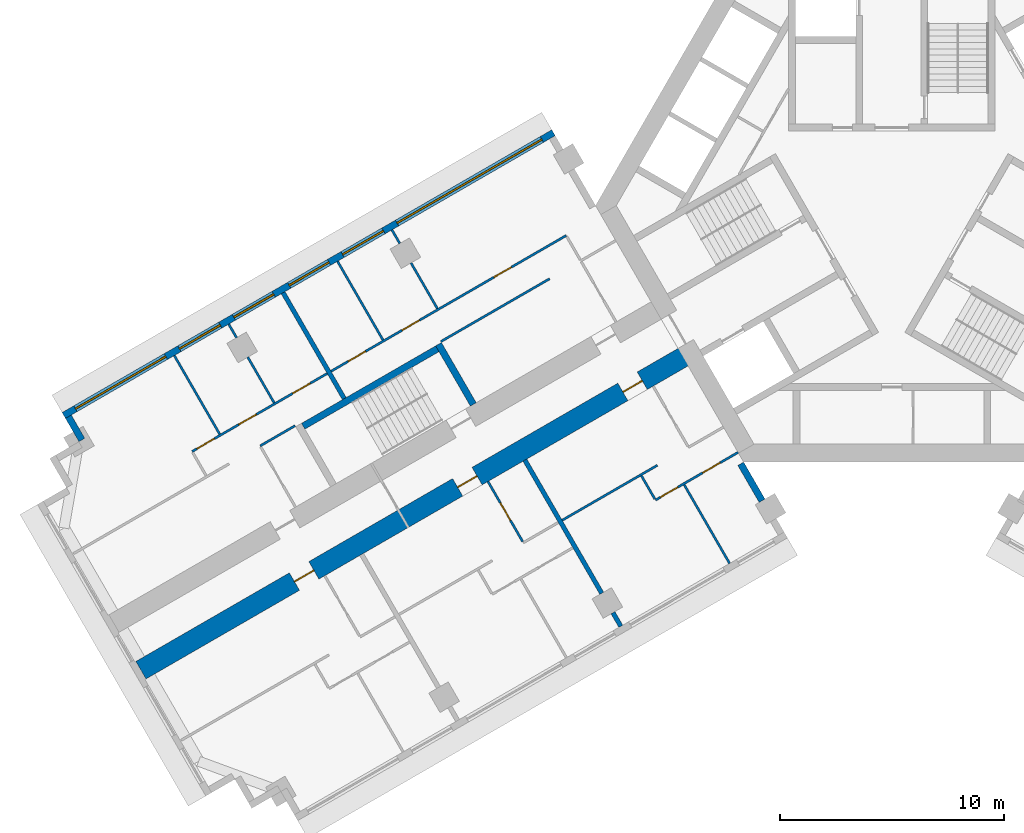
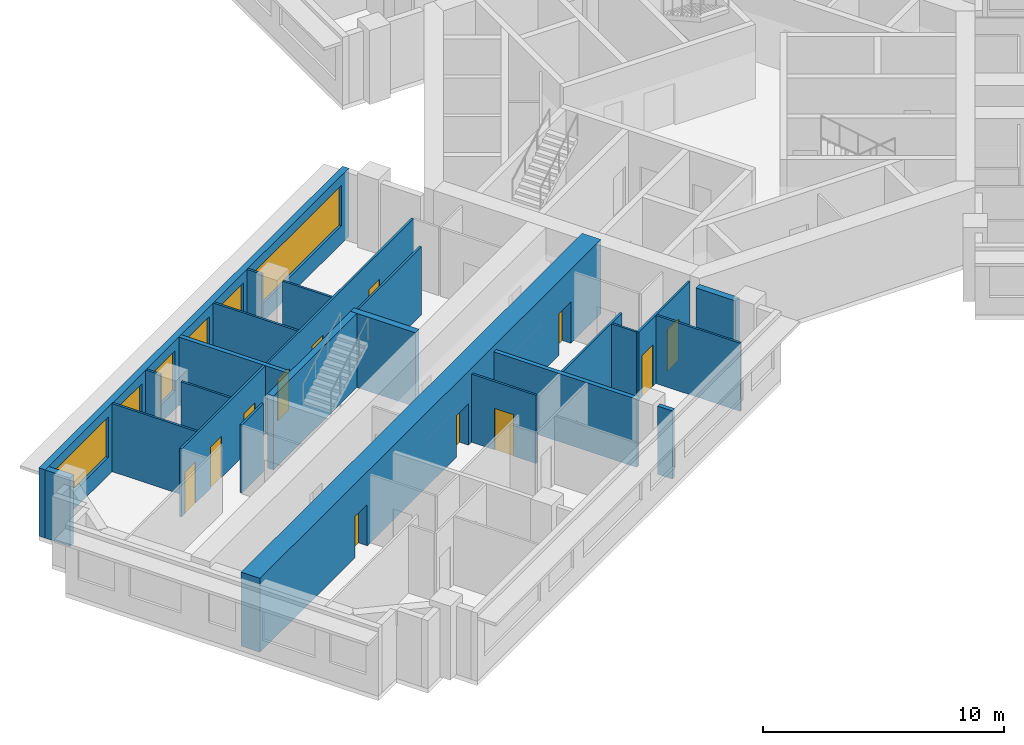
# One storey, part 3 of 12: 24 walls, 12 doors, 6 windows, 18 openings.
"""IFC4 building model written with IfcOpenShell, lengths in metres."""

from ifc_helpers import new_model, si_unit, direction, frame, frame_2d, origin, place, context, subcontext, project, spatial, rectangle, extrude, material, layer, layer_set, type_object, element, fill, save


model = new_model("IFC4")

# Units and contexts
model_context = context("Model", 3, precision=1e-05, world=origin(), true_north=direction((0.0, 1.0)))
body_context = subcontext(model_context, "Body", "Model", "MODEL_VIEW")
ifc_project = project(units=[si_unit("LENGTHUNIT", "METRE"), si_unit("AREAUNIT", "SQUARE_METRE"), si_unit("VOLUMEUNIT", "CUBIC_METRE"), si_unit("PLANEANGLEUNIT", "RADIAN"), si_unit("MASSUNIT", "GRAM", prefix="KILO")], contexts=[model_context])

# Site, building, storey
site_placement = place(None, origin())
site = spatial("IfcSite", under=ifc_project, at=site_placement, CompositionType="ELEMENT")
building_placement = place(site_placement, origin())
building = spatial("IfcBuilding", under=site, at=building_placement, Name="Impinga Residences", CompositionType="ELEMENT")
storey_placement = place(building_placement, frame((0.0, 0.0, 177.25)))
storey = spatial("IfcBuildingStorey", under=building, at=storey_placement, Name="L44", CompositionType="ELEMENT", Elevation=177.25)

# Wall, openings, doors
ifc_material_1 = material(Name="Concrete C60/75", Category="concrete")
ifc_layer_1 = layer(ifc_material_1, 0.89990234375)
ifc_layer_set_1 = layer_set([ifc_layer_1], Name="Concrete C60/75")
wall_type_1 = type_object("IfcWallType", Name="BW2 corridor buttress wall, L24 to L44 900", PredefinedType="SHEAR", material=ifc_layer_set_1)
wall_1_placement = place(storey_placement, frame((-8.95361328125, -6.554931640625, 0.0), z_axis=(0.0, 0.0, 1.0), x_axis=(-0.866023392092, -0.500003484338, 0.0)))
wall_1 = element("IfcWall", 1, at=wall_1_placement, inside=storey, type_object=wall_type_1, Name="Corridor wall BW2 WC L44", PredefinedType="SHEAR", context=body_context, shape_type="SweptSolid", body=[
    extrude(rectangle(XDim=28.300048828125, YDim=0.89990234375, at=frame_2d((14.14990234375, 0.0))), origin(), (0.0, 0.0, 1.0), 3.75),
])
opening_1_placement = place(wall_1_placement, frame((2.5, 0.0, 0.0)))
opening_1 = element("IfcOpeningElement", 2, at=opening_1_placement, cuts=wall_1, Name="Opening D1", PredefinedType="OPENING", context=body_context, shape_type="SweptSolid", body=[
    extrude(rectangle(XDim=1.0, YDim=2.10009765625, at=frame_2d((0.5, 1.050048828125))), frame((0.0, 0.4599609375, 0.0), z_axis=(0.0, -1.0, 0.0), x_axis=(1.0, 0.0, 0.0)), (0.0, 0.0, 1.0), 0.919921875),
])
opening_2_placement = place(wall_1_placement, frame((11.0, 0.0, 0.0)))
opening_2 = element("IfcOpeningElement", 3, at=opening_2_placement, cuts=wall_1, Name="Opening D1", PredefinedType="OPENING", context=body_context, shape_type="SweptSolid", body=[
    extrude(rectangle(XDim=1.0, YDim=2.10009765625, at=frame_2d((0.5, 1.050048828125))), frame((0.0, 0.4599609375, 0.0), z_axis=(0.0, -1.0, 0.0), x_axis=(1.0, 0.0, 0.0)), (0.0, 0.0, 1.0), 0.919921875),
])
opening_3_placement = place(wall_1_placement, frame((19.39990234375, 0.0, 0.0)))
opening_3 = element("IfcOpeningElement", 4, at=opening_3_placement, cuts=wall_1, Name="Opening D1", PredefinedType="OPENING", context=body_context, shape_type="SweptSolid", body=[
    extrude(rectangle(XDim=1.0, YDim=2.10009765625, at=frame_2d((0.5, 1.050048828125))), frame((0.0, 0.4599609375, 0.0), z_axis=(0.0, -1.0, 0.0), x_axis=(1.0, 0.0, 0.0)), (0.0, 0.0, 1.0), 0.919921875),
])
ifc_material_2 = material(Name="Timber door set", Category="wood")
door_type_1 = type_object("IfcDoorType", Name="D1 apartment entrance door 1000x2100", OperationType="SINGLE_SWING_LEFT", PredefinedType="DOOR", material=ifc_material_2)
door_1_placement = place(opening_1_placement, origin())
door_1 = element("IfcDoor", 5, at=door_1_placement, inside=storey, type_object=door_type_1, Name="Apartment L44-WA1 entrance", OperationType="SINGLE_SWING_LEFT", OverallHeight=2.10009765625, OverallWidth=1.0, PredefinedType="DOOR", context=body_context, shape_type="SweptSolid", body=[
    extrude(rectangle(XDim=1.0, YDim=2.10009765625, at=frame_2d((0.5, 1.050048828125))), frame((0.0, 0.02490234375, 0.0), z_axis=(0.0, -1.0, 0.0), x_axis=(1.0, 0.0, 0.0)), (0.0, 0.0, 1.0), 0.050048828125),
])
fill(opening_1, door_1)
door_2_placement = place(opening_2_placement, origin())
door_2 = element("IfcDoor", 6, at=door_2_placement, inside=storey, type_object=door_type_1, Name="Apartment L44-WA2 entrance", OperationType="SINGLE_SWING_LEFT", OverallHeight=2.10009765625, OverallWidth=1.0, PredefinedType="DOOR", context=body_context, shape_type="SweptSolid", body=[
    extrude(rectangle(XDim=1.0, YDim=2.10009765625, at=frame_2d((0.5, 1.050048828125))), frame((0.0, 0.02490234375, 0.0), z_axis=(0.0, -1.0, 0.0), x_axis=(1.0, 0.0, 0.0)), (0.0, 0.0, 1.0), 0.050048828125),
])
fill(opening_2, door_2)
door_3_placement = place(opening_3_placement, origin())
door_3 = element("IfcDoor", 7, at=door_3_placement, inside=storey, type_object=door_type_1, Name="Apartment L44-WA3 entrance", OperationType="SINGLE_SWING_RIGHT", OverallHeight=2.10009765625, OverallWidth=1.0, PredefinedType="DOOR", context=body_context, shape_type="SweptSolid", body=[
    extrude(rectangle(XDim=1.0, YDim=2.10009765625, at=frame_2d((0.5, 1.050048828125))), frame((0.0, 0.02490234375, 0.0), z_axis=(0.0, -1.0, 0.0), x_axis=(1.0, 0.0, 0.0)), (0.0, 0.0, 1.0), 0.050048828125),
])
fill(opening_3, door_3)

# Wall
ifc_material_3 = material(Name="Terracotta rainscreen on blockwork", Category="masonry")
ifc_layer_2 = layer(ifc_material_3, 0.300048828125)
ifc_layer_set_2 = layer_set([ifc_layer_2], Name="EW1 external wall, terracotta rainscreen on blockwork 300")
wall_type_2 = type_object("IfcWallType", Name="EW1 external wall, terracotta rainscreen on blockwork 300", PredefinedType="SOLIDWALL", material=ifc_layer_set_2)
wall_2_placement = place(storey_placement, frame((-36.093994140625, -10.446533203125, 0.0), z_axis=(0.0, 0.0, 1.0), x_axis=(-0.499880961361, 0.866094119867, 0.0)))
element("IfcWall", 8, at=wall_2_placement, inside=storey, type_object=wall_type_2, Name="External wall EW1 L44", PredefinedType="SOLIDWALL", context=body_context, shape_type="SweptSolid", body=[
    extrude(rectangle(XDim=1.199951171875, YDim=0.300048828125, at=frame_2d((0.60009765625, 0.0))), origin(), (0.0, 0.0, 1.0), 3.449951171875),
])

# Wall, openings, windows
wall_3_placement = place(storey_placement, frame((-36.89892578125, -9.352294921875, 0.0), z_axis=(0.0, 0.0, 1.0), x_axis=(0.86602925447, 0.499993330357, 0.0)))
wall_3 = element("IfcWall", 9, at=wall_3_placement, inside=storey, type_object=wall_type_2, Name="External wall EW1 L44", PredefinedType="SOLIDWALL", context=body_context, shape_type="SweptSolid", body=[
    extrude(rectangle(XDim=25.199951171875, YDim=0.300048828125, at=frame_2d((12.60009765625, 0.0))), origin(), (0.0, 0.0, 1.0), 3.449951171875),
])
opening_4_placement = place(wall_3_placement, frame((0.60009765625, 0.0, 0.89990234375)))
opening_4 = element("IfcOpeningElement", 10, at=opening_4_placement, cuts=wall_3, Name="Opening W10", PredefinedType="OPENING", context=body_context, shape_type="SweptSolid", body=[
    extrude(rectangle(XDim=4.64990234375, YDim=2.050048828125, at=frame_2d((2.324951171875, 1.02490234375))), frame((0.0, 0.159912109375, 0.0), z_axis=(0.0, -1.0, 0.0), x_axis=(1.0, 0.0, 0.0)), (0.0, 0.0, 1.0), 0.320068359375),
])
opening_5_placement = place(wall_3_placement, frame((5.949951171875, 0.0, 0.89990234375)))
opening_5 = element("IfcOpeningElement", 11, at=opening_5_placement, cuts=wall_3, Name="Opening W9", PredefinedType="OPENING", context=body_context, shape_type="SweptSolid", body=[
    extrude(rectangle(XDim=2.10009765625, YDim=2.050048828125, at=frame_2d((1.050048828125, 1.02490234375))), frame((0.0, 0.159912109375, 0.0), z_axis=(0.0, -1.0, 0.0), x_axis=(1.0, 0.0, 0.0)), (0.0, 0.0, 1.0), 0.320068359375),
])
opening_6_placement = place(wall_3_placement, frame((8.75, 0.0, 0.89990234375)))
opening_6 = element("IfcOpeningElement", 12, at=opening_6_placement, cuts=wall_3, Name="Opening W14", PredefinedType="OPENING", context=body_context, shape_type="SweptSolid", body=[
    extrude(rectangle(XDim=2.050048828125, YDim=2.050048828125, at=frame_2d((1.02490234375, 1.02490234375))), frame((0.0, 0.159912109375, 0.0), z_axis=(0.0, -1.0, 0.0), x_axis=(1.0, 0.0, 0.0)), (0.0, 0.0, 1.0), 0.320068359375),
])
opening_7_placement = place(wall_3_placement, frame((11.60009765625, 0.0, 0.89990234375)))
opening_7 = element("IfcOpeningElement", 13, at=opening_7_placement, cuts=wall_3, Name="Opening W14", PredefinedType="OPENING", context=body_context, shape_type="SweptSolid", body=[
    extrude(rectangle(XDim=2.050048828125, YDim=2.050048828125, at=frame_2d((1.02490234375, 1.02490234375))), frame((0.0, 0.159912109375, 0.0), z_axis=(0.0, -1.0, 0.0), x_axis=(1.0, 0.0, 0.0)), (0.0, 0.0, 1.0), 0.320068359375),
])
opening_8_placement = place(wall_3_placement, frame((14.35009765625, 0.0, 0.89990234375)))
opening_8 = element("IfcOpeningElement", 14, at=opening_8_placement, cuts=wall_3, Name="Opening W9", PredefinedType="OPENING", context=body_context, shape_type="SweptSolid", body=[
    extrude(rectangle(XDim=2.10009765625, YDim=2.050048828125, at=frame_2d((1.050048828125, 1.02490234375))), frame((0.0, 0.159912109375, 0.0), z_axis=(0.0, -1.0, 0.0), x_axis=(1.0, 0.0, 0.0)), (0.0, 0.0, 1.0), 0.320068359375),
])
opening_9_placement = place(wall_3_placement, frame((17.14990234375, 0.0, 0.89990234375)))
opening_9 = element("IfcOpeningElement", 15, at=opening_9_placement, cuts=wall_3, Name="Opening W7", PredefinedType="OPENING", context=body_context, shape_type="SweptSolid", body=[
    extrude(rectangle(XDim=7.449951171875, YDim=2.050048828125, at=frame_2d((3.72509765625, 1.02490234375))), frame((0.0, 0.159912109375, 0.0), z_axis=(0.0, -1.0, 0.0), x_axis=(1.0, 0.0, 0.0)), (0.0, 0.0, 1.0), 0.320068359375),
])
ifc_material_4 = material(Name="Aluminium window, clear double glazing", Category="aluminium")
window_type_1 = type_object("IfcWindowType", Name="W10 ribbon window 4650x2050", PartitioningType="SINGLE_PANEL", PredefinedType="WINDOW", material=ifc_material_4)
window_1_placement = place(opening_4_placement, origin())
window_1 = element("IfcWindow", 16, at=window_1_placement, inside=storey, type_object=window_type_1, Name="Window L44", OverallHeight=2.050048828125, OverallWidth=4.64990234375, PartitioningType="SINGLE_PANEL", PredefinedType="WINDOW", context=body_context, shape_type="SweptSolid", body=[
    extrude(rectangle(XDim=4.64990234375, YDim=2.050048828125, at=frame_2d((2.324951171875, 1.02490234375))), frame((0.0, 0.030029296875, 0.0), z_axis=(0.0, -1.0, 0.0), x_axis=(1.0, 0.0, 0.0)), (0.0, 0.0, 1.0), 0.06005859375),
])
fill(opening_4, window_1)
window_type_2 = type_object("IfcWindowType", Name="W14 ribbon window 2050x2050", PartitioningType="SINGLE_PANEL", PredefinedType="WINDOW", material=ifc_material_4)
window_2_placement = place(opening_6_placement, origin())
window_2 = element("IfcWindow", 17, at=window_2_placement, inside=storey, type_object=window_type_2, Name="Window L44", OverallHeight=2.050048828125, OverallWidth=2.050048828125, PartitioningType="SINGLE_PANEL", PredefinedType="WINDOW", context=body_context, shape_type="SweptSolid", body=[
    extrude(rectangle(XDim=2.050048828125, YDim=2.050048828125, at=frame_2d((1.02490234375, 1.02490234375))), frame((0.0, 0.030029296875, 0.0), z_axis=(0.0, -1.0, 0.0), x_axis=(1.0, 0.0, 0.0)), (0.0, 0.0, 1.0), 0.06005859375),
])
fill(opening_6, window_2)
window_3_placement = place(opening_7_placement, origin())
window_3 = element("IfcWindow", 18, at=window_3_placement, inside=storey, type_object=window_type_2, Name="Window L44", OverallHeight=2.050048828125, OverallWidth=2.050048828125, PartitioningType="SINGLE_PANEL", PredefinedType="WINDOW", context=body_context, shape_type="SweptSolid", body=[
    extrude(rectangle(XDim=2.050048828125, YDim=2.050048828125, at=frame_2d((1.02490234375, 1.02490234375))), frame((0.0, 0.030029296875, 0.0), z_axis=(0.0, -1.0, 0.0), x_axis=(1.0, 0.0, 0.0)), (0.0, 0.0, 1.0), 0.06005859375),
])
fill(opening_7, window_3)
window_type_3 = type_object("IfcWindowType", Name="W7 ribbon window 7450x2050", PartitioningType="SINGLE_PANEL", PredefinedType="WINDOW", material=ifc_material_4)
window_4_placement = place(opening_9_placement, origin())
window_4 = element("IfcWindow", 19, at=window_4_placement, inside=storey, type_object=window_type_3, Name="Window L44", OverallHeight=2.050048828125, OverallWidth=7.449951171875, PartitioningType="SINGLE_PANEL", PredefinedType="WINDOW", context=body_context, shape_type="SweptSolid", body=[
    extrude(rectangle(XDim=7.449951171875, YDim=2.050048828125, at=frame_2d((3.72509765625, 1.02490234375))), frame((0.0, 0.030029296875, 0.0), z_axis=(0.0, -1.0, 0.0), x_axis=(1.0, 0.0, 0.0)), (0.0, 0.0, 1.0), 0.06005859375),
])
fill(opening_9, window_4)
window_type_4 = type_object("IfcWindowType", Name="W9 ribbon window 2100x2050", PartitioningType="SINGLE_PANEL", PredefinedType="WINDOW", material=ifc_material_4)
window_5_placement = place(opening_5_placement, origin())
window_5 = element("IfcWindow", 20, at=window_5_placement, inside=storey, type_object=window_type_4, Name="Window L44", OverallHeight=2.050048828125, OverallWidth=2.10009765625, PartitioningType="SINGLE_PANEL", PredefinedType="WINDOW", context=body_context, shape_type="SweptSolid", body=[
    extrude(rectangle(XDim=2.10009765625, YDim=2.050048828125, at=frame_2d((1.050048828125, 1.02490234375))), frame((0.0, 0.030029296875, 0.0), z_axis=(0.0, -1.0, 0.0), x_axis=(1.0, 0.0, 0.0)), (0.0, 0.0, 1.0), 0.06005859375),
])
fill(opening_5, window_5)
window_6_placement = place(opening_8_placement, origin())
window_6 = element("IfcWindow", 21, at=window_6_placement, inside=storey, type_object=window_type_4, Name="Window L44", OverallHeight=2.050048828125, OverallWidth=2.10009765625, PartitioningType="SINGLE_PANEL", PredefinedType="WINDOW", context=body_context, shape_type="SweptSolid", body=[
    extrude(rectangle(XDim=2.10009765625, YDim=2.050048828125, at=frame_2d((1.050048828125, 1.02490234375))), frame((0.0, 0.030029296875, 0.0), z_axis=(0.0, -1.0, 0.0), x_axis=(1.0, 0.0, 0.0)), (0.0, 0.0, 1.0), 0.06005859375),
])
fill(opening_8, window_6)

# Walls
wall_4_placement = place(storey_placement, frame((-6.72998046875, -11.506591796875, 0.0), z_axis=(0.0, 0.0, 1.0), x_axis=(0.500063520245, -0.865988727248, 0.0)))
element("IfcWall", 22, at=wall_4_placement, inside=storey, type_object=wall_type_2, Name="External wall EW1 L44", PredefinedType="SOLIDWALL", context=body_context, shape_type="SweptSolid", body=[
    extrude(rectangle(XDim=1.900146484375, YDim=0.300048828125, at=frame_2d((0.9501953125, 0.0))), origin(), (0.0, 0.0, 1.0), 3.449951171875),
])
ifc_material_5 = material(Name="Gypsum board on steel studs", Category="steel")
ifc_layer_3 = layer(ifc_material_5, 0.10009765625)
ifc_layer_set_3 = layer_set([ifc_layer_3], Name="Gypsum board on steel studs")
wall_type_3 = type_object("IfcWallType", Name="IP1 partition 100", PredefinedType="PARTITIONING", material=ifc_layer_set_3)
wall_5_placement = place(storey_placement, frame((-10.444580078125, -11.57275390625, 0.0), z_axis=(0.0, 0.0, 1.0), x_axis=(-0.866023786258, -0.500002801628, 0.0)))
element("IfcWall", 23, at=wall_5_placement, inside=storey, type_object=wall_type_3, Name="Partition L44-WA1:DIV1", PredefinedType="PARTITIONING", context=body_context, shape_type="SweptSolid", body=[
    extrude(rectangle(XDim=4.89990234375, YDim=0.10009765625, at=frame_2d((2.449951171875, 0.0))), origin(), (0.0, 0.0, 1.0), 3.449951171875),
])

# Wall, openings, doors
wall_6_placement = place(storey_placement, frame((-6.85009765625, -10.99853515625, 0.0), z_axis=(0.0, 0.0, 1.0), x_axis=(-0.866014341725, -0.50001915956, 0.0)))
wall_6 = element("IfcWall", 24, at=wall_6_placement, inside=storey, type_object=wall_type_3, Name="Partition L44-WA1:STRIP", PredefinedType="PARTITIONING", context=body_context, shape_type="SweptSolid", body=[
    extrude(rectangle(XDim=4.249755859375, YDim=0.10009765625, at=frame_2d((2.125, 0.0))), origin(), (0.0, 0.0, 1.0), 3.449951171875),
])
opening_10_placement = place(wall_6_placement, frame((0.925048828125, 0.0, 0.0)))
opening_10 = element("IfcOpeningElement", 25, at=opening_10_placement, cuts=wall_6, Name="Opening D2", PredefinedType="OPENING", context=body_context, shape_type="SweptSolid", body=[
    extrude(rectangle(XDim=0.89990234375, YDim=2.10009765625, at=frame_2d((0.449951171875, 1.050048828125))), frame((0.0, 0.06005859375, 0.0), z_axis=(0.0, -1.0, 0.0), x_axis=(1.0, 0.0, 0.0)), (0.0, 0.0, 1.0), 0.1201171875),
])
opening_11_placement = place(wall_6_placement, frame((3.10009765625, 0.0, 0.0)))
opening_11 = element("IfcOpeningElement", 26, at=opening_11_placement, cuts=wall_6, Name="Opening D2", PredefinedType="OPENING", context=body_context, shape_type="SweptSolid", body=[
    extrude(rectangle(XDim=0.89990234375, YDim=2.10009765625, at=frame_2d((0.449951171875, 1.050048828125))), frame((0.0, 0.06005859375, 0.0), z_axis=(0.0, -1.0, 0.0), x_axis=(1.0, 0.0, 0.0)), (0.0, 0.0, 1.0), 0.1201171875),
])
door_type_2 = type_object("IfcDoorType", Name="D2 internal door 900x2100", OperationType="SINGLE_SWING_LEFT", PredefinedType="DOOR", material=ifc_material_2)
door_4_placement = place(opening_10_placement, origin())
door_4 = element("IfcDoor", 27, at=door_4_placement, inside=storey, type_object=door_type_2, Name="Apartment L44-WA1 room door", OperationType="SINGLE_SWING_LEFT", OverallHeight=2.10009765625, OverallWidth=0.89990234375, PredefinedType="DOOR", context=body_context, shape_type="SweptSolid", body=[
    extrude(rectangle(XDim=0.89990234375, YDim=2.10009765625, at=frame_2d((0.449951171875, 1.050048828125))), frame((0.0, 0.02490234375, 0.0), z_axis=(0.0, -1.0, 0.0), x_axis=(1.0, 0.0, 0.0)), (0.0, 0.0, 1.0), 0.050048828125),
])
fill(opening_10, door_4)
door_5_placement = place(opening_11_placement, origin())
door_5 = element("IfcDoor", 28, at=door_5_placement, inside=storey, type_object=door_type_2, Name="Apartment L44-WA1 room door", OperationType="SINGLE_SWING_RIGHT", OverallHeight=2.10009765625, OverallWidth=0.89990234375, PredefinedType="DOOR", context=body_context, shape_type="SweptSolid", body=[
    extrude(rectangle(XDim=0.89990234375, YDim=2.10009765625, at=frame_2d((0.449951171875, 1.050048828125))), frame((0.0, 0.02490234375, 0.0), z_axis=(0.0, -1.0, 0.0), x_axis=(1.0, 0.0, 0.0)), (0.0, 0.0, 1.0), 0.050048828125),
])
fill(opening_11, door_5)

# Walls
wall_7_placement = place(storey_placement, frame((-11.155517578125, -12.041015625, 0.0), z_axis=(0.0, 0.0, 1.0), x_axis=(0.499880961361, -0.866094119867, 0.0)))
element("IfcWall", 29, at=wall_7_placement, inside=storey, type_object=wall_type_3, Name="Partition L44-WA1:SE1", PredefinedType="PARTITIONING", context=body_context, shape_type="SweptSolid", body=[
    extrude(rectangle(XDim=1.199951171875, YDim=0.10009765625, at=frame_2d((0.60009765625, 0.0))), origin(), (0.0, 0.0, 1.0), 3.449951171875),
])
wall_8_placement = place(storey_placement, frame((-9.249755859375, -12.44189453125, 0.0), z_axis=(0.0, 0.0, 1.0), x_axis=(0.499990325971, -0.866030989016, 0.0)))
element("IfcWall", 30, at=wall_8_placement, inside=storey, type_object=wall_type_3, Name="Partition L44-WA1:OB1", PredefinedType="PARTITIONING", context=body_context, shape_type="SweptSolid", body=[
    extrude(rectangle(XDim=4.0498046875, YDim=0.10009765625, at=frame_2d((2.02490234375, 0.0))), origin(), (0.0, 0.0, 1.0), 3.449951171875),
])

# Wall, opening, door
wall_9_placement = place(storey_placement, frame((-17.9951171875, -12.294677734375, 0.0), z_axis=(0.0, 0.0, 1.0), x_axis=(0.49999285859, -0.86602952684, 0.0)))
wall_9 = element("IfcWall", 31, at=wall_9_placement, inside=storey, type_object=wall_type_3, Name="Partition L44-WA2:IB1", PredefinedType="PARTITIONING", context=body_context, shape_type="SweptSolid", body=[
    extrude(rectangle(XDim=3.10009765625, YDim=0.10009765625, at=frame_2d((1.550048828125, 0.0))), origin(), (0.0, 0.0, 1.0), 3.449951171875),
])
opening_12_placement = place(wall_9_placement, frame((1.10009765625, 0.0, 0.0)))
opening_12 = element("IfcOpeningElement", 32, at=opening_12_placement, cuts=wall_9, Name="Opening D2", PredefinedType="OPENING", context=body_context, shape_type="SweptSolid", body=[
    extrude(rectangle(XDim=0.89990234375, YDim=2.10009765625, at=frame_2d((0.449951171875, 1.050048828125))), frame((0.0, 0.06005859375, 0.0), z_axis=(0.0, -1.0, 0.0), x_axis=(1.0, 0.0, 0.0)), (0.0, 0.0, 1.0), 0.1201171875),
])
door_6_placement = place(opening_12_placement, origin())
door_6 = element("IfcDoor", 33, at=door_6_placement, inside=storey, type_object=door_type_2, Name="Apartment L44-WA2 bathroom door", OperationType="SINGLE_SWING_LEFT", OverallHeight=2.10009765625, OverallWidth=0.89990234375, PredefinedType="DOOR", context=body_context, shape_type="SweptSolid", body=[
    extrude(rectangle(XDim=0.89990234375, YDim=2.10009765625, at=frame_2d((0.449951171875, 1.050048828125))), frame((0.0, 0.02490234375, 0.0), z_axis=(0.0, -1.0, 0.0), x_axis=(1.0, 0.0, 0.0)), (0.0, 0.0, 1.0), 0.050048828125),
])
fill(opening_12, door_6)

# Wall
wall_10_placement = place(storey_placement, frame((-15.244384765625, -3.2587890625, 0.0), z_axis=(0.0, 0.0, 1.0), x_axis=(-0.866026594901, -0.49999793692, 0.0)))
element("IfcWall", 34, at=wall_10_placement, inside=storey, type_object=wall_type_3, Name="Partition L44-WF1:DIV1", PredefinedType="PARTITIONING", context=body_context, shape_type="SweptSolid", body=[
    extrude(rectangle(XDim=5.60009765625, YDim=0.10009765625, at=frame_2d((2.800048828125, 0.0))), origin(), (0.0, 0.0, 1.0), 3.449951171875),
])

# Wall, openings, doors
wall_11_placement = place(storey_placement, frame((-14.5087890625, -1.3330078125, 0.0), z_axis=(0.0, 0.0, 1.0), x_axis=(-0.866025650635, -0.499999572443, 0.0)))
wall_11 = element("IfcWall", 35, at=wall_11_placement, inside=storey, type_object=wall_type_3, Name="Partition L44-WF1:STRIP", PredefinedType="PARTITIONING", context=body_context, shape_type="SweptSolid", body=[
    extrude(rectangle(XDim=12.10009765625, YDim=0.10009765625, at=frame_2d((6.050048828125, 0.0))), origin(), (0.0, 0.0, 1.0), 3.449951171875),
])
opening_13_placement = place(wall_11_placement, frame((2.824951171875, 0.0, 0.0)))
opening_13 = element("IfcOpeningElement", 36, at=opening_13_placement, cuts=wall_11, Name="Opening D2", PredefinedType="OPENING", context=body_context, shape_type="SweptSolid", body=[
    extrude(rectangle(XDim=0.89990234375, YDim=2.10009765625, at=frame_2d((0.449951171875, 1.050048828125))), frame((0.0, 0.06005859375, 0.0), z_axis=(0.0, -1.0, 0.0), x_axis=(1.0, 0.0, 0.0)), (0.0, 0.0, 1.0), 0.1201171875),
])
opening_14_placement = place(wall_11_placement, frame((7.550048828125, 0.0, 0.0)))
opening_14 = element("IfcOpeningElement", 37, at=opening_14_placement, cuts=wall_11, Name="Opening D2", PredefinedType="OPENING", context=body_context, shape_type="SweptSolid", body=[
    extrude(rectangle(XDim=0.89990234375, YDim=2.10009765625, at=frame_2d((0.449951171875, 1.050048828125))), frame((0.0, 0.06005859375, 0.0), z_axis=(0.0, -1.0, 0.0), x_axis=(1.0, 0.0, 0.0)), (0.0, 0.0, 1.0), 0.1201171875),
])
opening_15_placement = place(wall_11_placement, frame((10.324951171875, 0.0, 0.0)))
opening_15 = element("IfcOpeningElement", 38, at=opening_15_placement, cuts=wall_11, Name="Opening D2", PredefinedType="OPENING", context=body_context, shape_type="SweptSolid", body=[
    extrude(rectangle(XDim=0.89990234375, YDim=2.10009765625, at=frame_2d((0.449951171875, 1.050048828125))), frame((0.0, 0.06005859375, 0.0), z_axis=(0.0, -1.0, 0.0), x_axis=(1.0, 0.0, 0.0)), (0.0, 0.0, 1.0), 0.1201171875),
])
door_7_placement = place(opening_13_placement, origin())
door_7 = element("IfcDoor", 39, at=door_7_placement, inside=storey, type_object=door_type_2, Name="Apartment L44-WF1 room door", OperationType="SINGLE_SWING_LEFT", OverallHeight=2.10009765625, OverallWidth=0.89990234375, PredefinedType="DOOR", context=body_context, shape_type="SweptSolid", body=[
    extrude(rectangle(XDim=0.89990234375, YDim=2.10009765625, at=frame_2d((0.449951171875, 1.050048828125))), frame((0.0, 0.02490234375, 0.0), z_axis=(0.0, -1.0, 0.0), x_axis=(1.0, 0.0, 0.0)), (0.0, 0.0, 1.0), 0.050048828125),
])
fill(opening_13, door_7)
door_8_placement = place(opening_14_placement, origin())
door_8 = element("IfcDoor", 40, at=door_8_placement, inside=storey, type_object=door_type_2, Name="Apartment L44-WF1 room door", OperationType="SINGLE_SWING_RIGHT", OverallHeight=2.10009765625, OverallWidth=0.89990234375, PredefinedType="DOOR", context=body_context, shape_type="SweptSolid", body=[
    extrude(rectangle(XDim=0.89990234375, YDim=2.10009765625, at=frame_2d((0.449951171875, 1.050048828125))), frame((0.0, 0.02490234375, 0.0), z_axis=(0.0, -1.0, 0.0), x_axis=(1.0, 0.0, 0.0)), (0.0, 0.0, 1.0), 0.050048828125),
])
fill(opening_14, door_8)
door_9_placement = place(opening_15_placement, origin())
door_9 = element("IfcDoor", 41, at=door_9_placement, inside=storey, type_object=door_type_2, Name="Apartment L44-WF1 room door", OperationType="SINGLE_SWING_RIGHT", OverallHeight=2.10009765625, OverallWidth=0.89990234375, PredefinedType="DOOR", context=body_context, shape_type="SweptSolid", body=[
    extrude(rectangle(XDim=0.89990234375, YDim=2.10009765625, at=frame_2d((0.449951171875, 1.050048828125))), frame((0.0, 0.02490234375, 0.0), z_axis=(0.0, -1.0, 0.0), x_axis=(1.0, 0.0, 0.0)), (0.0, 0.0, 1.0), 0.050048828125),
])
fill(opening_15, door_9)

# Walls
wall_12_placement = place(storey_placement, frame((-20.24951171875, -4.589599609375, 0.0), z_axis=(0.0, 0.0, 1.0), x_axis=(-0.500016218704, 0.866016039709, 0.0)))
element("IfcWall", 42, at=wall_12_placement, inside=storey, type_object=wall_type_3, Name="Partition L44-WF1:OB1", PredefinedType="PARTITIONING", context=body_context, shape_type="SweptSolid", body=[
    extrude(rectangle(XDim=2.35009765625, YDim=0.10009765625, at=frame_2d((1.175048828125, 0.0))), origin(), (0.0, 0.0, 1.0), 3.449951171875),
])
wall_13_placement = place(storey_placement, frame((-21.924560546875, -1.6884765625, 0.0), z_axis=(0.0, 0.0, 1.0), x_axis=(-0.500114896893, 0.865959057869, 0.0)))
element("IfcWall", 43, at=wall_13_placement, inside=storey, type_object=wall_type_3, Name="Partition L44-WF1:OB1b", PredefinedType="PARTITIONING", context=body_context, shape_type="SweptSolid", body=[
    extrude(rectangle(XDim=0.699951171875, YDim=0.10009765625, at=frame_2d((0.35009765625, 0.0))), origin(), (0.0, 0.0, 1.0), 3.449951171875),
])
wall_14_placement = place(storey_placement, frame((-22.674560546875, -5.98974609375, 0.0), z_axis=(0.0, 0.0, 1.0), x_axis=(-0.499990325971, 0.866030989016, 0.0)))
element("IfcWall", 44, at=wall_14_placement, inside=storey, type_object=wall_type_3, Name="Partition L44-WF1:OB2", PredefinedType="PARTITIONING", context=body_context, shape_type="SweptSolid", body=[
    extrude(rectangle(XDim=4.0498046875, YDim=0.10009765625, at=frame_2d((2.02490234375, 0.0))), origin(), (0.0, 0.0, 1.0), 3.449951171875),
])
wall_15_placement = place(storey_placement, frame((-26.58935546875, -9.808837890625, 0.0), z_axis=(0.0, 0.0, 1.0), x_axis=(-0.866047807691, -0.499961193289, 0.0)))
element("IfcWall", 45, at=wall_15_placement, inside=storey, type_object=wall_type_3, Name="Partition L44-WF2:DIV0", PredefinedType="PARTITIONING", context=body_context, shape_type="SweptSolid", body=[
    extrude(rectangle(XDim=1.800048828125, YDim=0.10009765625, at=frame_2d((0.89990234375, 0.0))), origin(), (0.0, 0.0, 1.0), 3.449951171875),
])

# Wall, openings, doors
wall_16_placement = place(storey_placement, frame((-25.160888671875, -7.48291015625, 0.0), z_axis=(0.0, 0.0, 1.0), x_axis=(-0.866025305473, -0.500000170281, 0.0)))
wall_16 = element("IfcWall", 46, at=wall_16_placement, inside=storey, type_object=wall_type_3, Name="Partition L44-WF2:STRIP", PredefinedType="PARTITIONING", context=body_context, shape_type="SweptSolid", body=[
    extrude(rectangle(XDim=6.9501953125, YDim=0.10009765625, at=frame_2d((3.47509765625, 0.0))), origin(), (0.0, 0.0, 1.0), 3.449951171875),
])
opening_16_placement = place(wall_16_placement, frame((0.875, 0.0, 0.0)))
opening_16 = element("IfcOpeningElement", 47, at=opening_16_placement, cuts=wall_16, Name="Opening D2", PredefinedType="OPENING", context=body_context, shape_type="SweptSolid", body=[
    extrude(rectangle(XDim=0.89990234375, YDim=2.10009765625, at=frame_2d((0.449951171875, 1.050048828125))), frame((0.0, 0.06005859375, 0.0), z_axis=(0.0, -1.0, 0.0), x_axis=(1.0, 0.0, 0.0)), (0.0, 0.0, 1.0), 0.1201171875),
])
opening_17_placement = place(wall_16_placement, frame((3.64990234375, 0.0, 0.0)))
opening_17 = element("IfcOpeningElement", 48, at=opening_17_placement, cuts=wall_16, Name="Opening D2", PredefinedType="OPENING", context=body_context, shape_type="SweptSolid", body=[
    extrude(rectangle(XDim=0.89990234375, YDim=2.10009765625, at=frame_2d((0.449951171875, 1.050048828125))), frame((0.0, 0.06005859375, 0.0), z_axis=(0.0, -1.0, 0.0), x_axis=(1.0, 0.0, 0.0)), (0.0, 0.0, 1.0), 0.1201171875),
])
opening_18_placement = place(wall_16_placement, frame((5.800048828125, 0.0, 0.0)))
opening_18 = element("IfcOpeningElement", 49, at=opening_18_placement, cuts=wall_16, Name="Opening D2", PredefinedType="OPENING", context=body_context, shape_type="SweptSolid", body=[
    extrude(rectangle(XDim=0.89990234375, YDim=2.10009765625, at=frame_2d((0.449951171875, 1.050048828125))), frame((0.0, 0.06005859375, 0.0), z_axis=(0.0, -1.0, 0.0), x_axis=(1.0, 0.0, 0.0)), (0.0, 0.0, 1.0), 0.1201171875),
])
door_10_placement = place(opening_16_placement, origin())
door_10 = element("IfcDoor", 50, at=door_10_placement, inside=storey, type_object=door_type_2, Name="Apartment L44-WF2 room door", OperationType="SINGLE_SWING_LEFT", OverallHeight=2.10009765625, OverallWidth=0.89990234375, PredefinedType="DOOR", context=body_context, shape_type="SweptSolid", body=[
    extrude(rectangle(XDim=0.89990234375, YDim=2.10009765625, at=frame_2d((0.449951171875, 1.050048828125))), frame((0.0, 0.02490234375, 0.0), z_axis=(0.0, -1.0, 0.0), x_axis=(1.0, 0.0, 0.0)), (0.0, 0.0, 1.0), 0.050048828125),
])
fill(opening_16, door_10)
door_11_placement = place(opening_17_placement, origin())
door_11 = element("IfcDoor", 51, at=door_11_placement, inside=storey, type_object=door_type_2, Name="Apartment L44-WF2 room door", OperationType="SINGLE_SWING_RIGHT", OverallHeight=2.10009765625, OverallWidth=0.89990234375, PredefinedType="DOOR", context=body_context, shape_type="SweptSolid", body=[
    extrude(rectangle(XDim=0.89990234375, YDim=2.10009765625, at=frame_2d((0.449951171875, 1.050048828125))), frame((0.0, 0.02490234375, 0.0), z_axis=(0.0, -1.0, 0.0), x_axis=(1.0, 0.0, 0.0)), (0.0, 0.0, 1.0), 0.050048828125),
])
fill(opening_17, door_11)
door_12_placement = place(opening_18_placement, origin())
door_12 = element("IfcDoor", 52, at=door_12_placement, inside=storey, type_object=door_type_2, Name="Apartment L44-WF2 room door", OperationType="SINGLE_SWING_RIGHT", OverallHeight=2.10009765625, OverallWidth=0.89990234375, PredefinedType="DOOR", context=body_context, shape_type="SweptSolid", body=[
    extrude(rectangle(XDim=0.89990234375, YDim=2.10009765625, at=frame_2d((0.449951171875, 1.050048828125))), frame((0.0, 0.02490234375, 0.0), z_axis=(0.0, -1.0, 0.0), x_axis=(1.0, 0.0, 0.0)), (0.0, 0.0, 1.0), 0.050048828125),
])
fill(opening_18, door_12)

# Walls
wall_17_placement = place(storey_placement, frame((-27.524169921875, -8.789794921875, 0.0), z_axis=(0.0, 0.0, 1.0), x_axis=(-0.500016218704, 0.866016039709, 0.0)))
element("IfcWall", 53, at=wall_17_placement, inside=storey, type_object=wall_type_3, Name="Partition L44-WF2:OB1", PredefinedType="PARTITIONING", context=body_context, shape_type="SweptSolid", body=[
    extrude(rectangle(XDim=2.35009765625, YDim=0.10009765625, at=frame_2d((1.175048828125, 0.0))), origin(), (0.0, 0.0, 1.0), 3.449951171875),
])
wall_18_placement = place(storey_placement, frame((-29.19921875, -5.888427734375, 0.0), z_axis=(0.0, 0.0, 1.0), x_axis=(-0.500114896893, 0.865959057869, 0.0)))
element("IfcWall", 54, at=wall_18_placement, inside=storey, type_object=wall_type_3, Name="Partition L44-WF2:OB1b", PredefinedType="PARTITIONING", context=body_context, shape_type="SweptSolid", body=[
    extrude(rectangle(XDim=0.699951171875, YDim=0.10009765625, at=frame_2d((0.35009765625, 0.0))), origin(), (0.0, 0.0, 1.0), 3.449951171875),
])
wall_19_placement = place(storey_placement, frame((-29.94921875, -10.189697265625, 0.0), z_axis=(0.0, 0.0, 1.0), x_axis=(-0.499990325971, 0.866030989016, 0.0)))
element("IfcWall", 55, at=wall_19_placement, inside=storey, type_object=wall_type_3, Name="Partition L44-WF2:OB2", PredefinedType="PARTITIONING", context=body_context, shape_type="SweptSolid", body=[
    extrude(rectangle(XDim=4.0498046875, YDim=0.10009765625, at=frame_2d((2.02490234375, 0.0))), origin(), (0.0, 0.0, 1.0), 3.449951171875),
])
ifc_material_6 = material(Name="Concrete blockwork", Category="masonry")
ifc_layer_4 = layer(ifc_material_6, 0.199951171875)
ifc_layer_set_4 = layer_set([ifc_layer_4], Name="PW1 party wall between apartments 200")
wall_type_4 = type_object("IfcWallType", Name="PW1 party wall between apartments 200", PredefinedType="SOLIDWALL", material=ifc_layer_set_4)
wall_20_placement = place(storey_placement, frame((-16.349609375, -11.3447265625, 0.0), z_axis=(0.0, 0.0, 1.0), x_axis=(0.499999086063, -0.866025931445, 0.0)))
element("IfcWall", 56, at=wall_20_placement, inside=storey, type_object=wall_type_4, Name="Party wall between apartments L44-WA1:PARTY", PredefinedType="SOLIDWALL", context=body_context, shape_type="SweptSolid", body=[
    extrude(rectangle(XDim=6.85009765625, YDim=0.199951171875, at=frame_2d((3.425048828125, 0.0))), origin(), (0.0, 0.0, 1.0), 3.449951171875),
])
wall_21_placement = place(storey_placement, frame((-12.424560546875, -18.14306640625, 0.0), z_axis=(0.0, 0.0, 1.0), x_axis=(0.499853302173, -0.866110083249, 0.0)))
element("IfcWall", 57, at=wall_21_placement, inside=storey, type_object=wall_type_4, Name="Party wall between apartments L44-WA1:PARTYb", PredefinedType="SOLIDWALL", context=body_context, shape_type="SweptSolid", body=[
    extrude(rectangle(XDim=0.699951171875, YDim=0.199951171875, at=frame_2d((0.35009765625, 0.0))), origin(), (0.0, 0.0, 1.0), 3.449951171875),
])
wall_22_placement = place(storey_placement, frame((-24.3994140625, -8.60205078125, 0.0), z_axis=(0.0, 0.0, 1.0), x_axis=(-0.499988730927, 0.866031909889, 0.0)))
element("IfcWall", 58, at=wall_22_placement, inside=storey, type_object=wall_type_4, Name="Party wall between apartments L44-WF1:PARTY", PredefinedType="SOLIDWALL", context=body_context, shape_type="SweptSolid", body=[
    extrude(rectangle(XDim=5.449951171875, YDim=0.199951171875, at=frame_2d((2.72509765625, 0.0))), origin(), (0.0, 0.0, 1.0), 3.449951171875),
])
ifc_layer_5 = layer(ifc_material_1, 0.300048828125)
ifc_layer_set_5 = layer_set([ifc_layer_5], Name="Concrete C60/75")
wall_type_5 = type_object("IfcWallType", Name="SE1 wing stair enclosure wall 300", PredefinedType="SOLIDWALL", material=ifc_layer_set_5)
wall_23_placement = place(storey_placement, frame((-18.649169921875, -8.86181640625, 0.0), z_axis=(0.0, 0.0, 1.0), x_axis=(-0.500026960575, 0.86600983753, 0.0)))
element("IfcWall", 59, at=wall_23_placement, inside=storey, type_object=wall_type_5, Name="Stair enclosure wall SE1 W END0 L44", PredefinedType="SOLIDWALL", context=body_context, shape_type="SweptSolid", body=[
    extrude(rectangle(XDim=3.099853515625, YDim=0.300048828125, at=frame_2d((1.5498046875, 0.0))), origin(), (0.0, 0.0, 1.0), 3.75),
])
wall_24_placement = place(storey_placement, frame((-20.254150390625, -6.382080078125, 0.0), z_axis=(0.0, 0.0, 1.0), x_axis=(-0.866020008033, -0.500009345598, 0.0)))
element("IfcWall", 60, at=wall_24_placement, inside=storey, type_object=wall_type_5, Name="Stair enclosure wall SE1 W OUT L44", PredefinedType="SOLIDWALL", context=body_context, shape_type="SweptSolid", body=[
    extrude(rectangle(XDim=6.899658203125, YDim=0.300048828125, at=frame_2d((3.44970703125, 0.0))), origin(), (0.0, 0.0, 1.0), 3.75),
])

save(model, "model.ifc")
